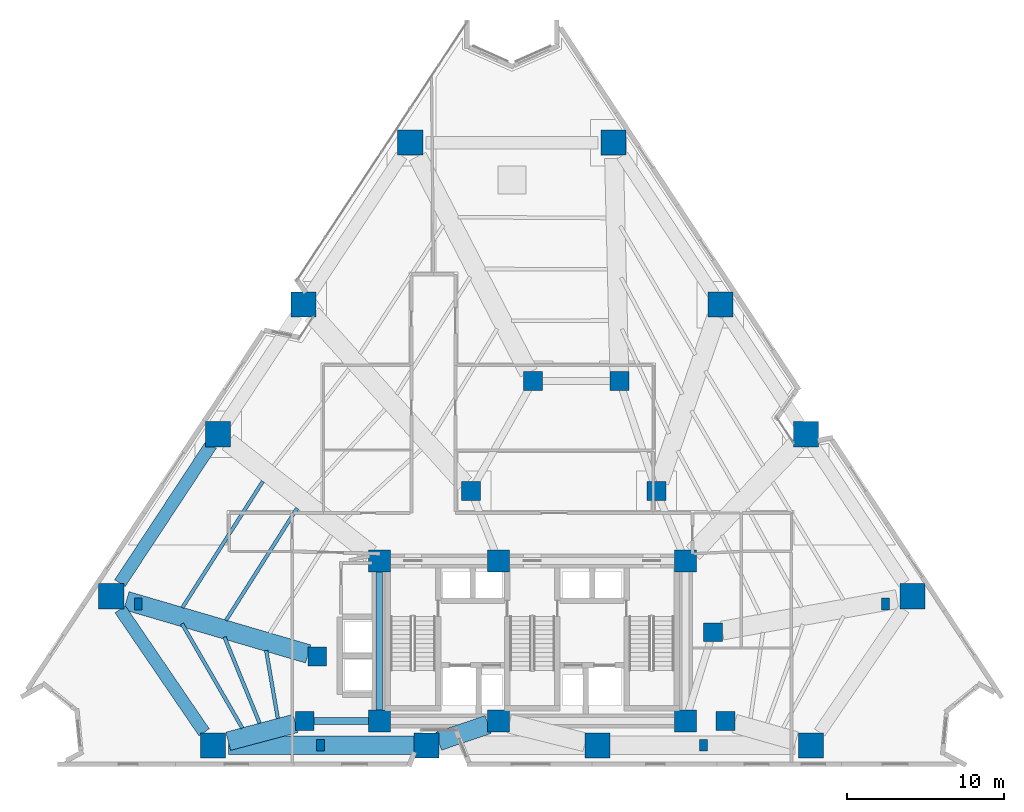
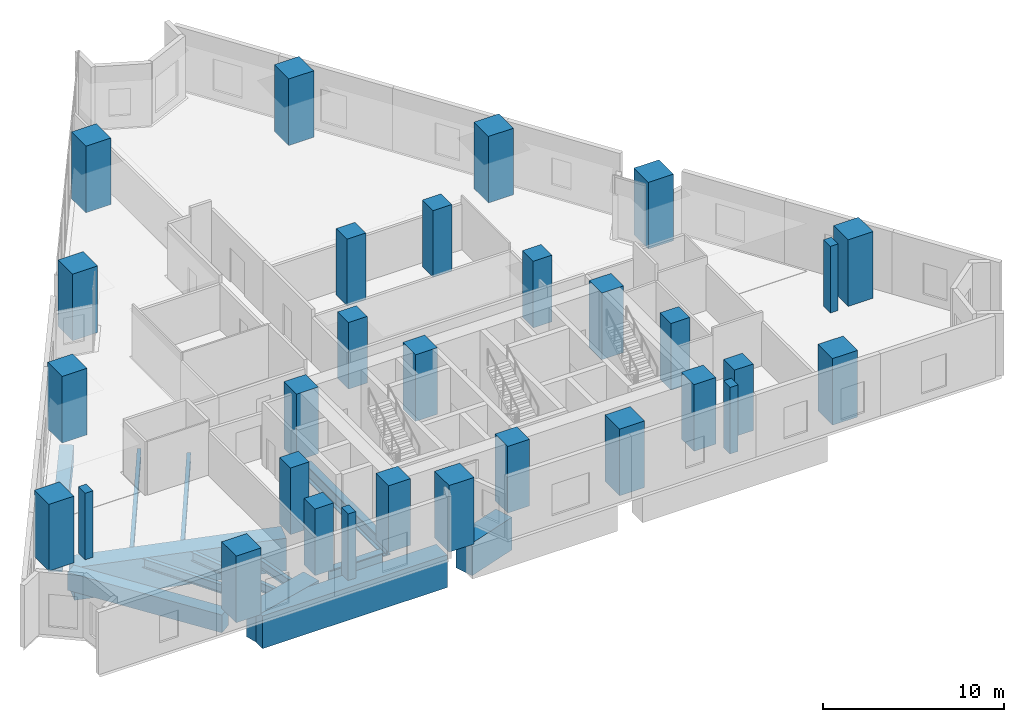
# One storey, part 1 of 15: 30 columns, 13 beams.
"""IFC4 building model written with IfcOpenShell, lengths in metres."""

from ifc_helpers import new_model, si_unit, direction, frame, origin, origin_2d, place, context, subcontext, project, spatial, rectangle, i_section, extrude, material, material_profile, profile_set, type_object, element, save


model = new_model("IFC4")

# Units and contexts
model_context = context("Model", 3, precision=1e-05, world=origin(), true_north=direction((0.0, 1.0)))
body_context = subcontext(model_context, "Body", "Model", "MODEL_VIEW")
ifc_project = project(units=[si_unit("LENGTHUNIT", "METRE"), si_unit("AREAUNIT", "SQUARE_METRE"), si_unit("VOLUMEUNIT", "CUBIC_METRE"), si_unit("PLANEANGLEUNIT", "RADIAN"), si_unit("MASSUNIT", "GRAM", prefix="KILO")], contexts=[model_context])

# Site, building, storey
site_placement = place(None, origin())
site = spatial("IfcSite", under=ifc_project, at=site_placement, CompositionType="ELEMENT")
building_placement = place(site_placement, origin())
building = spatial("IfcBuilding", under=site, at=building_placement, Name="Almagre Mirador Tower", CompositionType="ELEMENT")
storey_placement = place(building_placement, frame((0.0, 0.0, 8.39990234375)))
storey = spatial("IfcBuildingStorey", under=building, at=storey_placement, Name="L01", CompositionType="ELEMENT", Elevation=8.39990234375)

# Columns
ifc_material_1 = material(Name="Precast concrete C50/60", Category="concrete")
ifc_material_profile_1 = material_profile(ifc_material_1, rectangle(XDim=0.5, YDim=0.75, at=origin_2d()), Name="RC500X750")
ifc_profile_set_1 = profile_set([ifc_material_profile_1], Name="Precast concrete C50/60")
column_type_1 = type_object("IfcColumnType", Name="COL-PIL-500X750", PredefinedType="PILASTER", material=ifc_profile_set_1)
for number, where, z_axis, x_axis, name in (
    (1, (23.800048828125, 3.0, 0.0), (0.0, 0.0, 1.0), (1.0, 0.0, 0.0), "L01 expressed frame pilaster 01"),
    (2, (48.199951171875, 3.0, 0.0), (0.0, 0.0, 1.0), (1.0, 0.0, 0.0), "L01 expressed frame pilaster 02"),
    (3, (12.199951171875, 12.0, 0.0), (0.0, 0.0, 1.0), (1.0, 0.0, 0.0), "L01 expressed frame pilaster 03"),
    (4, (59.800048828125, 12.0, 0.0), (0.0, 0.0, 1.0), (1.0, 0.0, 0.0), "L01 expressed frame pilaster 04"),
):
    element("IfcColumn", number, at=place(storey_placement, frame(where, z_axis=z_axis, x_axis=x_axis)), inside=storey, type_object=column_type_1, Name=name, PredefinedType="PILASTER", context=body_context, shape_type="SweptSolid", body=[
        extrude(rectangle(XDim=0.5, YDim=0.75, at=origin_2d()), origin(), (0.0, 0.0, 1.0), 4.5),
    ])
ifc_material_2 = material(Name="Concrete C60/75", Category="concrete")
ifc_material_profile_2 = material_profile(ifc_material_2, rectangle(XDim=1.199951171875, YDim=1.199951171875, at=origin_2d()), Name="RC1200X1200")
ifc_profile_set_2 = profile_set([ifc_material_profile_2], Name="Concrete C60/75")
column_type_2 = type_object("IfcColumnType", Name="COL-RC1200", PredefinedType="COLUMN", material=ifc_profile_set_2)
for number, where, z_axis, x_axis, name in (
    (5, (22.800048828125, 4.550048828125, 0.0), (0.0, 0.0, 1.0), (1.0, 0.0, 0.0), "L01 interior transfer column MC1"),
    (6, (49.60009765625, 4.550048828125, 0.0), (0.0, 0.0, 1.0), (1.0, 0.0, 0.0), "L01 interior transfer column MC2"),
    (7, (48.800048828125, 10.199951171875, 0.0), (0.0, 0.0, 1.0), (1.0, 0.0, 0.0), "L01 interior transfer column MC3"),
    (8, (45.199951171875, 19.199951171875, 0.0), (0.0, 0.0, 1.0), (1.0, 0.0, 0.0), "L01 interior transfer column MC5"),
    (9, (42.85009765625, 26.199951171875, 0.0), (0.0, 0.0, 1.0), (1.0, 0.0, 0.0), "L01 interior transfer column MC6"),
    (10, (37.35009765625, 26.199951171875, 0.0), (0.0, 0.0, 1.0), (1.0, 0.0, 0.0), "L01 interior transfer column MC7"),
    (11, (33.39990234375, 19.199951171875, 0.0), (0.0, 0.0, 1.0), (1.0, 0.0, 0.0), "L01 interior transfer column MC8"),
    (12, (23.60009765625, 8.64990234375, 0.0), (0.0, 0.0, 1.0), (1.0, 0.0, 0.0), "L01 interior transfer column MC10"),
):
    element("IfcColumn", number, at=place(storey_placement, frame(where, z_axis=z_axis, x_axis=x_axis)), inside=storey, type_object=column_type_2, Name=name, PredefinedType="COLUMN", context=body_context, shape_type="SweptSolid", body=[
        extrude(rectangle(XDim=1.199951171875, YDim=1.199951171875, at=origin_2d()), origin(), (0.0, 0.0, 1.0), 4.5),
    ])
ifc_material_3 = material(Name="Concrete C60/75", Category="concrete")
ifc_material_profile_3 = material_profile(ifc_material_3, rectangle(XDim=1.39990234375, YDim=1.39990234375, at=origin_2d()), Name="RC1400X1400")
ifc_profile_set_3 = profile_set([ifc_material_profile_3], Name="Concrete C60/75")
column_type_3 = type_object("IfcColumnType", Name="COL-RC1400", PredefinedType="COLUMN", material=ifc_profile_set_3)
for number, where, z_axis, x_axis, name in (
    (13, (27.550048828125, 4.550048828125, 0.0), (0.0, 0.0, 1.0), (1.0, 0.0, 0.0), "L01 core spine column CC1"),
    (14, (35.14990234375, 4.550048828125, 0.0), (0.0, 0.0, 1.0), (1.0, 0.0, 0.0), "L01 core spine column CC2"),
    (15, (47.050048828125, 4.550048828125, 0.0), (0.0, 0.0, 1.0), (1.0, 0.0, 0.0), "L01 core spine column CC3"),
    (16, (27.550048828125, 14.75, 0.0), (0.0, 0.0, 1.0), (1.0, 0.0, 0.0), "L01 core spine column CC4"),
    (17, (35.14990234375, 14.75, 0.0), (0.0, 0.0, 1.0), (1.0, 0.0, 0.0), "L01 core spine column CC5"),
    (18, (47.050048828125, 14.75, 0.0), (0.0, 0.0, 1.0), (1.0, 0.0, 0.0), "L01 core spine column CC6"),
):
    element("IfcColumn", number, at=place(storey_placement, frame(where, z_axis=z_axis, x_axis=x_axis)), inside=storey, type_object=column_type_3, Name=name, PredefinedType="COLUMN", context=body_context, shape_type="SweptSolid", body=[
        extrude(rectangle(XDim=1.39990234375, YDim=1.39990234375, at=origin_2d()), origin(), (0.0, 0.0, 1.0), 4.5),
    ])
ifc_material_4 = material(Name="Concrete C70/85", Category="concrete")
ifc_material_profile_4 = material_profile(ifc_material_4, rectangle(XDim=1.60009765625, YDim=1.60009765625, at=origin_2d()), Name="RC1600X1600")
ifc_profile_set_4 = profile_set([ifc_material_profile_4], Name="Concrete C70/85")
column_type_4 = type_object("IfcColumnType", Name="COL-RC1600", PredefinedType="COLUMN", material=ifc_profile_set_4)
for number, where, z_axis, x_axis, name in (
    (19, (16.9599609375, 3.0, 0.0), (0.0, 0.0, 1.0), (1.0, 0.0, 0.0), "L01 perimeter column PC01"),
    (20, (30.56005859375, 3.0, 0.0), (0.0, 0.0, 1.0), (1.0, 0.0, 0.0), "L01 perimeter column PC02"),
    (21, (41.43994140625, 3.0, 0.0), (0.0, 0.0, 1.0), (1.0, 0.0, 0.0), "L01 perimeter column PC03"),
    (22, (55.0400390625, 3.0, 0.0), (0.0, 0.0, 1.0), (1.0, 0.0, 0.0), "L01 perimeter column PC04"),
    (23, (61.51806640625, 12.491943359375, 0.0), (0.0, 0.0, 1.0), (1.0, 0.0, 0.0), "L01 perimeter column PC05"),
    (24, (54.718017578125, 22.81201171875, 0.0), (0.0, 0.0, 1.0), (1.0, 0.0, 0.0), "L01 perimeter column PC06"),
    (25, (49.278076171875, 31.068115234375, 0.0), (0.0, 0.0, 1.0), (1.0, 0.0, 0.0), "L01 perimeter column PC07"),
    (26, (42.47802734375, 41.387939453125, 0.0), (0.0, 0.0, 1.0), (1.0, 0.0, 0.0), "L01 perimeter column PC08"),
    (27, (29.52197265625, 41.387939453125, 0.0), (0.0, 0.0, 1.0), (1.0, 0.0, 0.0), "L01 perimeter column PC09"),
    (28, (22.721923828125, 31.068115234375, 0.0), (0.0, 0.0, 1.0), (1.0, 0.0, 0.0), "L01 perimeter column PC10"),
    (29, (17.281982421875, 22.81201171875, 0.0), (0.0, 0.0, 1.0), (1.0, 0.0, 0.0), "L01 perimeter column PC11"),
    (30, (10.48193359375, 12.491943359375, 0.0), (0.0, 0.0, 1.0), (1.0, 0.0, 0.0), "L01 perimeter column PC12"),
):
    element("IfcColumn", number, at=place(storey_placement, frame(where, z_axis=z_axis, x_axis=x_axis)), inside=storey, type_object=column_type_4, Name=name, PredefinedType="COLUMN", context=body_context, shape_type="SweptSolid", body=[
        extrude(rectangle(XDim=1.60009765625, YDim=1.60009765625, at=origin_2d()), origin(), (0.0, 0.0, 1.0), 4.5),
    ])

# Beams
ifc_material_5 = material(Name="Steel ASTM A992 Grade 50", Category="steel")
ifc_material_profile_5 = material_profile(ifc_material_5, i_section(OverallWidth=0.22802734375, OverallDepth=0.60791015625, WebThickness=0.01123046875, FlangeThickness=0.017333984375, FilletRadius=0.02001953125, at=origin_2d()), Name="W24X76")
ifc_profile_set_5 = profile_set([ifc_material_profile_5], Name="Steel ASTM A992 Grade 50")
beam_type_1 = type_object("IfcBeamType", Name="BM-JST-W24X76", PredefinedType="JOIST", material=ifc_profile_set_5)
beam_1_placement = place(storey_placement, frame((20.133544921875, 19.81396484375, -0.60400390625), z_axis=(-0.537302597045, -0.843389541795, 0.0), x_axis=(0.843389541795, -0.537302597045, 0.0)))
element("IfcBeam", 31, at=beam_1_placement, inside=storey, type_object=beam_type_1, Name="L01 secondary floor joist PC11-PC12.1", PredefinedType="JOIST", context=body_context, shape_type="SweptSolid", body=[
    extrude(i_section(OverallWidth=0.22802734375, OverallDepth=0.60791015625, WebThickness=0.01123046875, FlangeThickness=0.017333984375, FilletRadius=0.02001953125, at=origin_2d()), origin(), (0.0, 0.0, 1.0), 9.541015625),
])
beam_2_placement = place(storey_placement, frame((22.31591796875, 18.1005859375, -0.60400390625), z_axis=(-0.535356815877, -0.844625999892, 0.0), x_axis=(0.844625999892, -0.535356815877, 0.0)))
element("IfcBeam", 32, at=beam_2_placement, inside=storey, type_object=beam_type_1, Name="L01 secondary floor joist PC11-PC12.2", PredefinedType="JOIST", context=body_context, shape_type="SweptSolid", body=[
    extrude(i_section(OverallWidth=0.22802734375, OverallDepth=0.60791015625, WebThickness=0.01123046875, FlangeThickness=0.017333984375, FilletRadius=0.02001953125, at=origin_2d()), origin(), (0.0, 0.0, 1.0), 8.461669921875),
])
beam_3_placement = place(storey_placement, frame((14.985107421875, 10.74169921875, -0.60400390625), z_axis=(0.500563646347, -0.865699737759, 0.0), x_axis=(0.865699737759, 0.500563646347, 0.0)))
element("IfcBeam", 33, at=beam_3_placement, inside=storey, type_object=beam_type_1, Name="L01 secondary floor joist PC12-PC01.1", PredefinedType="JOIST", context=body_context, shape_type="SweptSolid", body=[
    extrude(i_section(OverallWidth=0.22802734375, OverallDepth=0.60791015625, WebThickness=0.01123046875, FlangeThickness=0.017333984375, FilletRadius=0.02001953125, at=origin_2d()), origin(), (0.0, 0.0, 1.0), 7.677978515625),
])
beam_4_placement = place(storey_placement, frame((17.69140625, 9.891357421875, -0.60400390625), z_axis=(0.378106686052, -0.925762028797, 0.0), x_axis=(0.925762028797, 0.378106686052, 0.0)))
element("IfcBeam", 34, at=beam_4_placement, inside=storey, type_object=beam_type_1, Name="L01 secondary floor joist PC12-PC01.2", PredefinedType="JOIST", context=body_context, shape_type="SweptSolid", body=[
    extrude(i_section(OverallWidth=0.22802734375, OverallDepth=0.60791015625, WebThickness=0.01123046875, FlangeThickness=0.017333984375, FilletRadius=0.02001953125, at=origin_2d()), origin(), (0.0, 0.0, 1.0), 5.9267578125),
])
beam_5_placement = place(storey_placement, frame((20.345703125, 9.04150390625, -0.60400390625), z_axis=(0.169094999233, -0.98559975712, 0.0), x_axis=(0.98559975712, 0.169094999233, 0.0)))
element("IfcBeam", 35, at=beam_5_placement, inside=storey, type_object=beam_type_1, Name="L01 secondary floor joist PC12-PC01.3", PredefinedType="JOIST", context=body_context, shape_type="SweptSolid", body=[
    extrude(i_section(OverallWidth=0.22802734375, OverallDepth=0.60791015625, WebThickness=0.01123046875, FlangeThickness=0.017333984375, FilletRadius=0.02001953125, at=origin_2d()), origin(), (0.0, 0.0, 1.0), 4.390625),
])
ifc_material_6 = material(Name="Precast concrete C50/60", Category="concrete")
ifc_material_profile_6 = material_profile(ifc_material_6, rectangle(XDim=0.800048828125, YDim=1.199951171875, at=origin_2d()), Name="RC800X1200")
ifc_profile_set_6 = profile_set([ifc_material_profile_6], Name="Precast concrete C50/60")
beam_type_2 = type_object("IfcBeamType", Name="BM-SPN-RC800X1200", PredefinedType="SPANDREL", material=ifc_profile_set_6)
beam_6_placement = place(storey_placement, frame((16.841796875, 22.14404296875, -0.89990234375), z_axis=(-0.550199423007, -0.835033289709, 0.0), x_axis=(0.835033289709, -0.550199423007, 0.0)))
element("IfcBeam", 36, at=beam_6_placement, inside=storey, type_object=beam_type_2, Name="L01 perimeter spandrel beam PC11-PC12", PredefinedType="SPANDREL", context=body_context, shape_type="SweptSolid", body=[
    extrude(rectangle(XDim=0.800048828125, YDim=1.199951171875, at=origin_2d()), origin(), (0.0, 0.0, 1.0), 10.55908203125),
])
beam_7_placement = place(storey_placement, frame((11.045654296875, 11.666015625, -0.89990234375), z_axis=(0.563701507362, -0.825978577566, 0.0), x_axis=(0.825978577566, 0.563701507362, 0.0)))
element("IfcBeam", 37, at=beam_7_placement, inside=storey, type_object=beam_type_2, Name="L01 perimeter spandrel beam PC12-PC01", PredefinedType="SPANDREL", context=body_context, shape_type="SweptSolid", body=[
    extrude(rectangle(XDim=0.800048828125, YDim=1.199951171875, at=origin_2d()), origin(), (0.0, 0.0, 1.0), 9.491943359375),
])
ifc_material_7 = material(Name="Steel ASTM A992 Grade 50", Category="steel")
ifc_material_profile_7 = material_profile(ifc_material_7, i_section(OverallWidth=0.43701171875, OverallDepth=1.010986328125, WebThickness=0.041015625, FlangeThickness=0.073974609375, FilletRadius=0.028076171875, at=origin_2d()), Name="W36X529")
ifc_profile_set_7 = profile_set([ifc_material_profile_7], Name="Steel ASTM A992 Grade 50")
beam_type_3 = type_object("IfcBeamType", Name="BM-STL-W36X529", PredefinedType="BEAM", material=ifc_profile_set_7)
beam_8_placement = place(storey_placement, frame((27.550048828125, 5.25, -0.805419921875), z_axis=(0.0, 1.0, 0.0), x_axis=(-1.0, 0.0, 0.0)))
element("IfcBeam", 38, at=beam_8_placement, inside=storey, type_object=beam_type_3, Name="L01 core tie girder CC1-CC4", PredefinedType="BEAM", context=body_context, shape_type="SweptSolid", body=[
    extrude(i_section(OverallWidth=0.43701171875, OverallDepth=1.010986328125, WebThickness=0.041015625, FlangeThickness=0.073974609375, FilletRadius=0.028076171875, at=origin_2d()), origin(), (0.0, 0.0, 1.0), 8.800048828125),
])
beam_9_placement = place(storey_placement, frame((23.39990234375, 4.550048828125, -0.805419921875), z_axis=(1.0, 0.0, 0.0), x_axis=(0.0, 1.0, 0.0)))
element("IfcBeam", 39, at=beam_9_placement, inside=storey, type_object=beam_type_3, Name="L01 core tie girder MC1-CC1", PredefinedType="BEAM", context=body_context, shape_type="SweptSolid", body=[
    extrude(i_section(OverallWidth=0.43701171875, OverallDepth=1.010986328125, WebThickness=0.041015625, FlangeThickness=0.073974609375, FilletRadius=0.028076171875, at=origin_2d()), origin(), (0.0, 0.0, 1.0), 3.4501953125),
])
ifc_material_8 = material(Name="Concrete C60/75", Category="concrete")
ifc_material_profile_8 = material_profile(ifc_material_8, rectangle(XDim=1.199951171875, YDim=2.199951171875, at=origin_2d()), Name="RC1200X2200")
ifc_profile_set_8 = profile_set([ifc_material_profile_8], Name="Concrete C60/75")
beam_type_4 = type_object("IfcBeamType", Name="BM-XFER-RC1200X2200", PredefinedType="BEAM", material=ifc_profile_set_8)
beam_10_placement = place(storey_placement, frame((17.9599609375, 3.0, -1.39990234375), z_axis=(1.0, 0.0, 0.0), x_axis=(0.0, 1.0, 0.0)))
element("IfcBeam", 40, at=beam_10_placement, inside=storey, type_object=beam_type_4, Name="L01 perimeter spandrel beam PC01-PC02", PredefinedType="BEAM", context=body_context, shape_type="SweptSolid", body=[
    extrude(rectangle(XDim=1.199951171875, YDim=2.199951171875, at=origin_2d()), origin(), (0.0, 0.0, 1.0), 11.800048828125),
])
beam_11_placement = place(storey_placement, frame((17.926513671875, 3.256591796875, -1.39990234375), z_axis=(0.966547100436, 0.256489186202, 0.0), x_axis=(-0.256489186202, 0.966547100436, 0.0)))
element("IfcBeam", 41, at=beam_11_placement, inside=storey, type_object=beam_type_4, Name="L01 radial transfer girder PC01-MC1", PredefinedType="BEAM", context=body_context, shape_type="SweptSolid", body=[
    extrude(rectangle(XDim=1.199951171875, YDim=2.199951171875, at=origin_2d()), origin(), (0.0, 0.0, 1.0), 4.4423828125),
])
beam_12_placement = place(storey_placement, frame((31.318115234375, 3.256103515625, -1.39990234375), z_axis=(0.947457161142, 0.319882678182, 0.0), x_axis=(-0.319882678182, 0.947457161142, 0.0)))
element("IfcBeam", 42, at=beam_12_placement, inside=storey, type_object=beam_type_4, Name="L01 radial transfer girder PC02-CC2", PredefinedType="BEAM", context=body_context, shape_type="SweptSolid", body=[
    extrude(rectangle(XDim=1.199951171875, YDim=2.199951171875, at=origin_2d()), origin(), (0.0, 0.0, 1.0), 3.344482421875),
])
beam_13_placement = place(storey_placement, frame((11.441650390625, 12.2109375, -1.39990234375), z_axis=(0.959685383652, -0.281076438722, 0.0), x_axis=(0.281076438722, 0.959685383652, 0.0)))
element("IfcBeam", 43, at=beam_13_placement, inside=storey, type_object=beam_type_4, Name="L01 radial transfer girder PC12-MC10", PredefinedType="BEAM", context=body_context, shape_type="SweptSolid", body=[
    extrude(rectangle(XDim=1.199951171875, YDim=2.199951171875, at=origin_2d()), origin(), (0.0, 0.0, 1.0), 12.069091796875),
])

save(model, "model.ifc")
